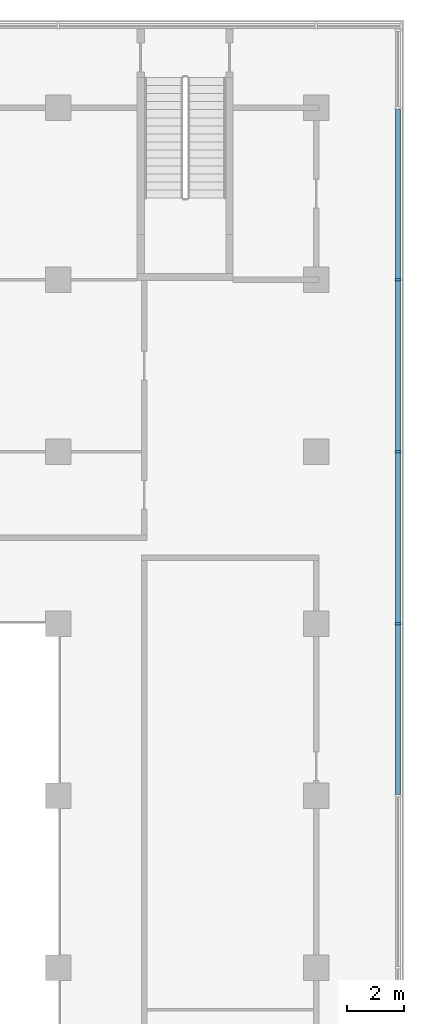
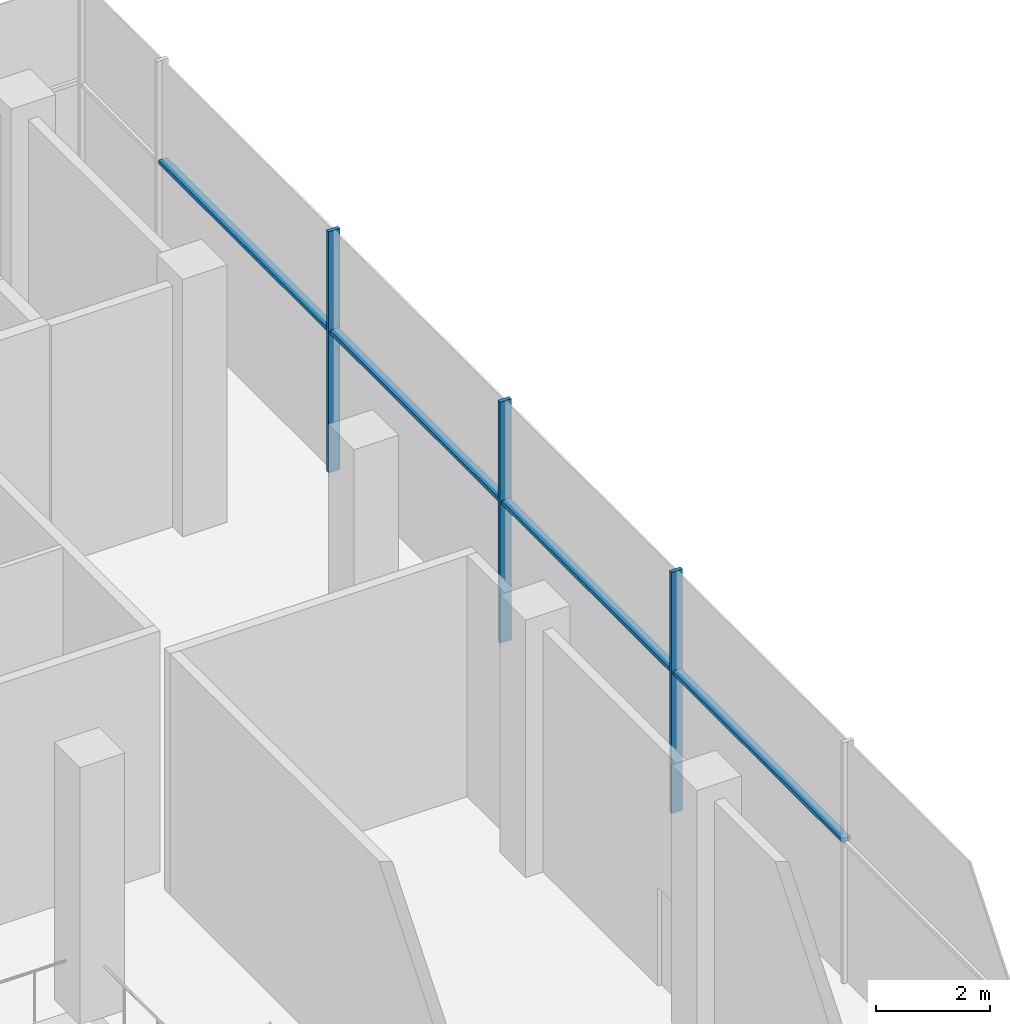
# One storey, part 6 of 22: 7 members, 1 element without a shape of its own.
"""IFC4 building model written with IfcOpenShell, lengths in metres."""

from ifc_helpers import new_model, si_unit, direction, frame, origin, origin_2d, place, context, subcontext, project, spatial, rectangle, extrude, material, material_profile, profile_set, type_object, element, aggregate, save


model = new_model("IFC4")

# Units and contexts
model_context = context("Model", 3, precision=1e-05, world=origin(), true_north=direction((0.0, 1.0)))
body_context = subcontext(model_context, "Body", "Model", "MODEL_VIEW")
ifc_project = project(units=[si_unit("LENGTHUNIT", "METRE"), si_unit("AREAUNIT", "SQUARE_METRE"), si_unit("VOLUMEUNIT", "CUBIC_METRE"), si_unit("PLANEANGLEUNIT", "RADIAN"), si_unit("MASSUNIT", "GRAM", prefix="KILO")], contexts=[model_context])

# Site, building, storey
site_placement = place(None, origin())
site = spatial("IfcSite", under=ifc_project, at=site_placement, CompositionType="ELEMENT")
building_placement = place(site_placement, origin())
building = spatial("IfcBuilding", under=site, at=building_placement, Name="Finial Court Residences", CompositionType="ELEMENT")
storey_placement = place(building_placement, frame((0.0, 0.0, 8.0)))
storey = spatial("IfcBuildingStorey", under=building, at=storey_placement, Name="L01", CompositionType="ELEMENT", Elevation=8.0)

# Curtain wall, members
ifc_material = material(Name="Bronze anodised aluminium", Category="aluminium")
curtain_wall_type = type_object("IfcCurtainWallType", Name="Podium curtain wall", PredefinedType="NOTDEFINED", material=ifc_material)
curtain_wall_placement = place(storey_placement, origin())
curtain_wall = element("IfcCurtainWall", 1, at=curtain_wall_placement, inside=storey, type_object=curtain_wall_type, Name="E-L01-CW-E2", PredefinedType="NOTDEFINED")
ifc_material_profile_1 = material_profile(ifc_material, rectangle(XDim=0.22509765625, YDim=0.080078125, at=origin_2d()), Name="CW5 mullion 80 x 225")
ifc_profile_set_1 = profile_set([ifc_material_profile_1], Name="Bronze anodised aluminium")
member_type_1 = type_object("IfcMemberType", Name="CW5 mullion 80 x 225", PredefinedType="MULLION", material=ifc_profile_set_1)
member_1_placement = place(storey_placement, frame((61.35009765625, 13.5, 0.0), z_axis=(0.0, 0.0, 1.0), x_axis=(-1.0, 0.0, 0.0)))
member_1 = element("IfcMember", 2, at=member_1_placement, type_object=member_type_1, Name="CW5 mullion 8", PredefinedType="MULLION", context=body_context, shape_type="SweptSolid", body=[
    extrude(rectangle(XDim=0.22509765625, YDim=0.080078125, at=origin_2d()), origin(), (0.0, 0.0, 1.0), 5.14990234375),
])
member_2_placement = place(storey_placement, frame((61.35009765625, 19.5, 0.0), z_axis=(0.0, 0.0, 1.0), x_axis=(-1.0, 0.0, 0.0)))
member_2 = element("IfcMember", 3, at=member_2_placement, type_object=member_type_1, Name="CW5 mullion 9", PredefinedType="MULLION", context=body_context, shape_type="SweptSolid", body=[
    extrude(rectangle(XDim=0.22509765625, YDim=0.080078125, at=origin_2d()), origin(), (0.0, 0.0, 1.0), 5.14990234375),
])
member_3_placement = place(storey_placement, frame((61.35009765625, 25.5, 0.0), z_axis=(0.0, 0.0, 1.0), x_axis=(-1.0, 0.0, 0.0)))
member_3 = element("IfcMember", 4, at=member_3_placement, type_object=member_type_1, Name="CW5 mullion 10", PredefinedType="MULLION", context=body_context, shape_type="SweptSolid", body=[
    extrude(rectangle(XDim=0.22509765625, YDim=0.080078125, at=origin_2d()), origin(), (0.0, 0.0, 1.0), 5.14990234375),
])
ifc_material_profile_2 = material_profile(ifc_material, rectangle(XDim=0.175048828125, YDim=0.080078125, at=origin_2d()), Name="CW5 transom 80 x 175")
ifc_profile_set_2 = profile_set([ifc_material_profile_2], Name="Bronze anodised aluminium")
member_type_2 = type_object("IfcMemberType", Name="CW5 transom 80 x 175", PredefinedType="USERDEFINED", material=ifc_profile_set_2)
member_4_placement = place(storey_placement, frame((61.35009765625, 7.5400390625, 3.0), z_axis=(0.0, 1.0, 0.0), x_axis=(-1.0, 0.0, 0.0)))
member_4 = element("IfcMember", 5, at=member_4_placement, type_object=member_type_2, Name="CW5 transom 7.1", ObjectType="TRANSOM", PredefinedType="USERDEFINED", context=body_context, shape_type="SweptSolid", body=[
    extrude(rectangle(XDim=0.175048828125, YDim=0.080078125, at=origin_2d()), origin(), (0.0, 0.0, 1.0), 5.919921875),
])
member_5_placement = place(storey_placement, frame((61.35009765625, 13.5400390625, 3.0), z_axis=(0.0, 1.0, 0.0), x_axis=(-1.0, 0.0, 0.0)))
member_5 = element("IfcMember", 6, at=member_5_placement, type_object=member_type_2, Name="CW5 transom 8.1", ObjectType="TRANSOM", PredefinedType="USERDEFINED", context=body_context, shape_type="SweptSolid", body=[
    extrude(rectangle(XDim=0.175048828125, YDim=0.080078125, at=origin_2d()), origin(), (0.0, 0.0, 1.0), 5.919921875),
])
member_6_placement = place(storey_placement, frame((61.35009765625, 19.5400390625, 3.0), z_axis=(0.0, 1.0, 0.0), x_axis=(-1.0, 0.0, 0.0)))
member_6 = element("IfcMember", 7, at=member_6_placement, type_object=member_type_2, Name="CW5 transom 9.1", ObjectType="TRANSOM", PredefinedType="USERDEFINED", context=body_context, shape_type="SweptSolid", body=[
    extrude(rectangle(XDim=0.175048828125, YDim=0.080078125, at=origin_2d()), origin(), (0.0, 0.0, 1.0), 5.919921875),
])
member_7_placement = place(storey_placement, frame((61.35009765625, 25.5400390625, 3.0), z_axis=(0.0, 1.0, 0.0), x_axis=(-1.0, 0.0, 0.0)))
member_7 = element("IfcMember", 8, at=member_7_placement, type_object=member_type_2, Name="CW5 transom 10.1", ObjectType="TRANSOM", PredefinedType="USERDEFINED", context=body_context, shape_type="SweptSolid", body=[
    extrude(rectangle(XDim=0.175048828125, YDim=0.080078125, at=origin_2d()), origin(), (0.0, 0.0, 1.0), 5.919921875),
])
aggregate(curtain_wall, [member_1, member_2, member_3, member_4, member_5, member_6, member_7])

save(model, "model.ifc")
